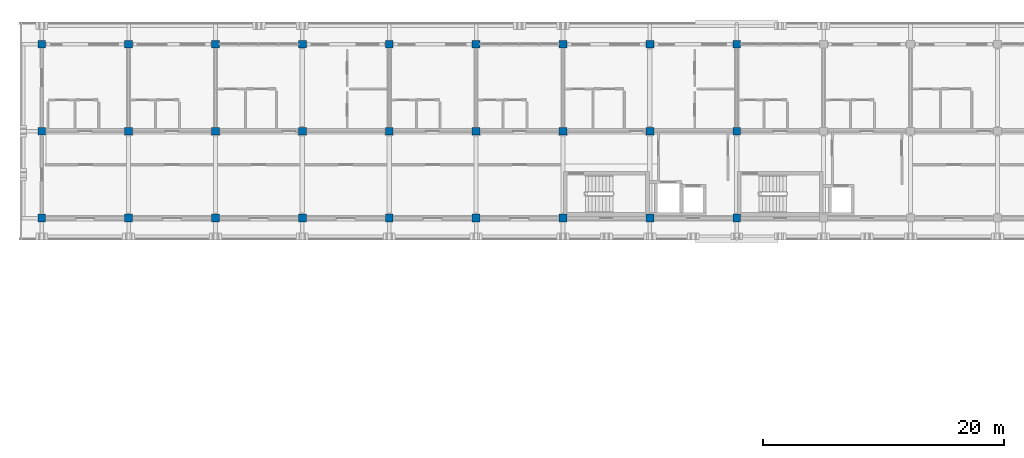
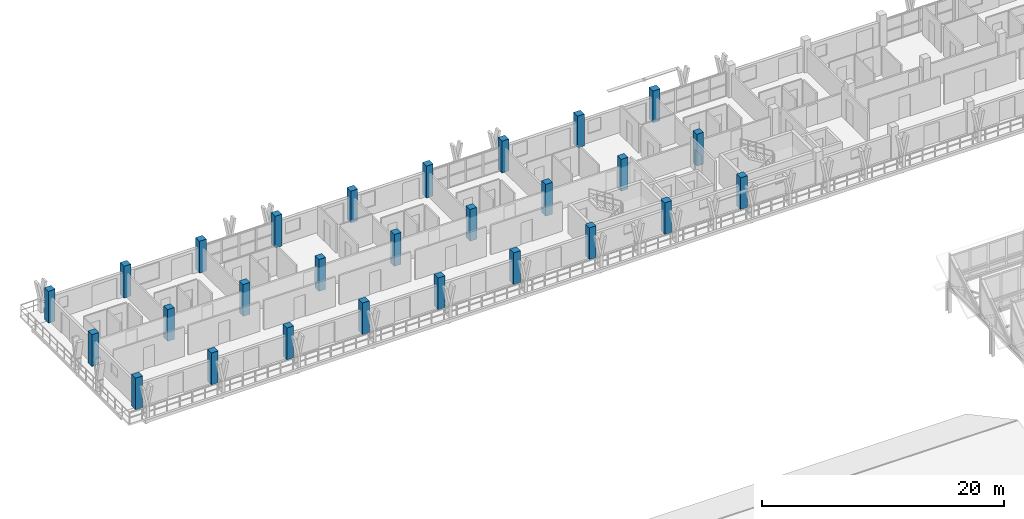
# One storey, part 8 of 157: 27 columns.
"""IFC4 building model written with IfcOpenShell, lengths in metres."""

from ifc_helpers import new_model, si_unit, direction, frame, origin, origin_2d, place, context, subcontext, project, spatial, rectangle, extrude, material, material_profile, profile_set, type_object, element, save


model = new_model("IFC4")

# Units and contexts
model_context = context("Model", 3, precision=1e-05, world=origin(), true_north=direction((0.0, 1.0)))
body_context = subcontext(model_context, "Body", "Model", "MODEL_VIEW")
ifc_project = project(units=[si_unit("LENGTHUNIT", "METRE"), si_unit("AREAUNIT", "SQUARE_METRE"), si_unit("VOLUMEUNIT", "CUBIC_METRE"), si_unit("PLANEANGLEUNIT", "RADIAN"), si_unit("MASSUNIT", "GRAM", prefix="KILO")], contexts=[model_context])

# Site, building, storey
site_placement = place(None, origin())
site = spatial("IfcSite", under=ifc_project, at=site_placement, CompositionType="ELEMENT")
building_placement = place(site_placement, origin())
building = spatial("IfcBuilding", under=site, at=building_placement, Name="Suanplinth Sawtooth Commons", CompositionType="ELEMENT")
storey_placement = place(building_placement, frame((0.0, 0.0, 9.0)))
storey = spatial("IfcBuildingStorey", under=building, at=storey_placement, Name="L02", CompositionType="ELEMENT", Elevation=9.0)

# Columns
ifc_material = material(Name="Precast concrete C40/50", Category="concrete")
ifc_material_profile = material_profile(ifc_material, rectangle(XDim=0.64990234375, YDim=0.64990234375, at=origin_2d()), Name="PC-COL 650x650")
ifc_profile_set = profile_set([ifc_material_profile], Name="Precast concrete C40/50")
column_type = type_object("IfcColumnType", Name="C-03", PredefinedType="COLUMN", material=ifc_profile_set)
for number, where, z_axis, x_axis, name in (
    (1, (0.0, 108.0, 0.0), (0.0, 0.0, 1.0), (1.0, 0.0, 0.0), "Column L02 1/R"),
    (2, (0.0, 115.199951171875, 0.0), (0.0, 0.0, 1.0), (1.0, 0.0, 0.0), "Column L02 1/S"),
    (3, (0.0, 122.39990234375, 0.0), (0.0, 0.0, 1.0), (1.0, 0.0, 0.0), "Column L02 1/T"),
    (4, (7.199951171875, 108.0, 0.0), (0.0, 0.0, 1.0), (1.0, 0.0, 0.0), "Column L02 2/R"),
    (5, (7.199951171875, 115.199951171875, 0.0), (0.0, 0.0, 1.0), (1.0, 0.0, 0.0), "Column L02 2/S"),
    (6, (7.199951171875, 122.39990234375, 0.0), (0.0, 0.0, 1.0), (1.0, 0.0, 0.0), "Column L02 2/T"),
    (7, (14.39990234375, 108.0, 0.0), (0.0, 0.0, 1.0), (1.0, 0.0, 0.0), "Column L02 3/R"),
    (8, (14.39990234375, 115.199951171875, 0.0), (0.0, 0.0, 1.0), (1.0, 0.0, 0.0), "Column L02 3/S"),
    (9, (14.39990234375, 122.39990234375, 0.0), (0.0, 0.0, 1.0), (1.0, 0.0, 0.0), "Column L02 3/T"),
    (10, (21.60009765625, 108.0, 0.0), (0.0, 0.0, 1.0), (1.0, 0.0, 0.0), "Column L02 4/R"),
    (11, (21.60009765625, 115.199951171875, 0.0), (0.0, 0.0, 1.0), (1.0, 0.0, 0.0), "Column L02 4/S"),
    (12, (21.60009765625, 122.39990234375, 0.0), (0.0, 0.0, 1.0), (1.0, 0.0, 0.0), "Column L02 4/T"),
    (13, (28.800048828125, 108.0, 0.0), (0.0, 0.0, 1.0), (1.0, 0.0, 0.0), "Column L02 5/R"),
    (14, (28.800048828125, 115.199951171875, 0.0), (0.0, 0.0, 1.0), (1.0, 0.0, 0.0), "Column L02 5/S"),
    (15, (28.800048828125, 122.39990234375, 0.0), (0.0, 0.0, 1.0), (1.0, 0.0, 0.0), "Column L02 5/T"),
    (16, (36.0, 108.0, 0.0), (0.0, 0.0, 1.0), (1.0, 0.0, 0.0), "Column L02 6/R"),
    (17, (36.0, 115.199951171875, 0.0), (0.0, 0.0, 1.0), (1.0, 0.0, 0.0), "Column L02 6/S"),
    (18, (36.0, 122.39990234375, 0.0), (0.0, 0.0, 1.0), (1.0, 0.0, 0.0), "Column L02 6/T"),
    (19, (43.199951171875, 108.0, 0.0), (0.0, 0.0, 1.0), (1.0, 0.0, 0.0), "Column L02 7/R"),
    (20, (43.199951171875, 115.199951171875, 0.0), (0.0, 0.0, 1.0), (1.0, 0.0, 0.0), "Column L02 7/S"),
    (21, (43.199951171875, 122.39990234375, 0.0), (0.0, 0.0, 1.0), (1.0, 0.0, 0.0), "Column L02 7/T"),
    (22, (50.39990234375, 108.0, 0.0), (0.0, 0.0, 1.0), (1.0, 0.0, 0.0), "Column L02 8/R"),
    (23, (50.39990234375, 115.199951171875, 0.0), (0.0, 0.0, 1.0), (1.0, 0.0, 0.0), "Column L02 8/S"),
    (24, (50.39990234375, 122.39990234375, 0.0), (0.0, 0.0, 1.0), (1.0, 0.0, 0.0), "Column L02 8/T"),
    (25, (57.60009765625, 108.0, 0.0), (0.0, 0.0, 1.0), (1.0, 0.0, 0.0), "Column L02 9/R"),
    (26, (57.60009765625, 115.199951171875, 0.0), (0.0, 0.0, 1.0), (1.0, 0.0, 0.0), "Column L02 9/S"),
    (27, (57.60009765625, 122.39990234375, 0.0), (0.0, 0.0, 1.0), (1.0, 0.0, 0.0), "Column L02 9/T"),
):
    element("IfcColumn", number, at=place(storey_placement, frame(where, z_axis=z_axis, x_axis=x_axis)), inside=storey, type_object=column_type, Name=name, PredefinedType="COLUMN", context=body_context, shape_type="SweptSolid", body=[
        extrude(rectangle(XDim=0.64990234375, YDim=0.64990234375, at=origin_2d()), origin(), (0.0, 0.0, 1.0), 3.199951171875),
    ])

save(model, "model.ifc")
